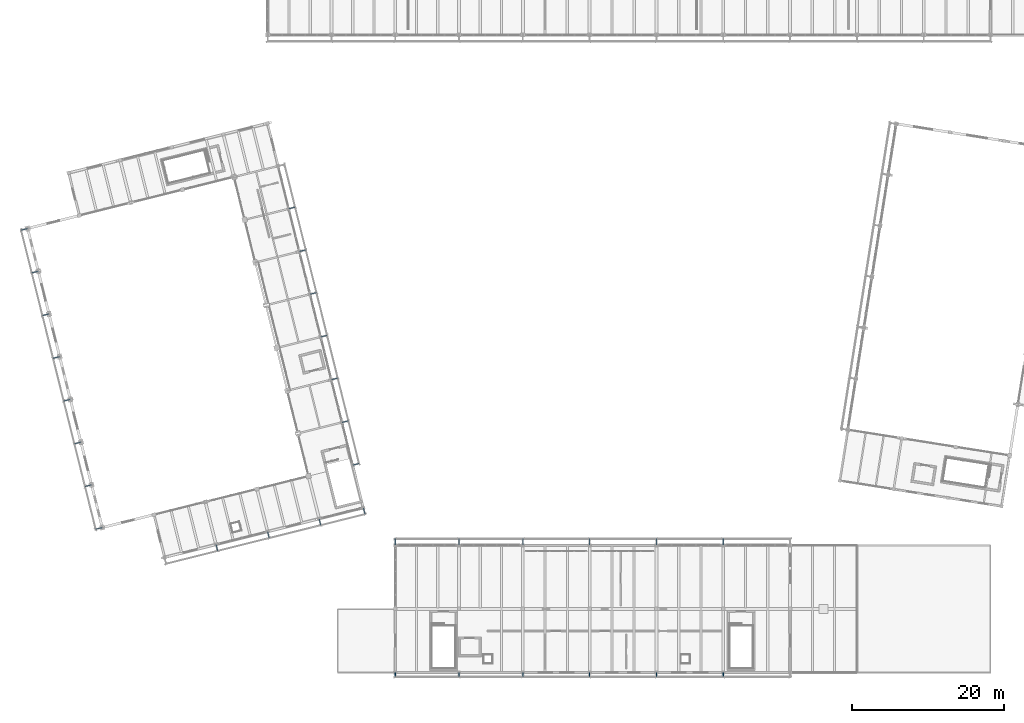
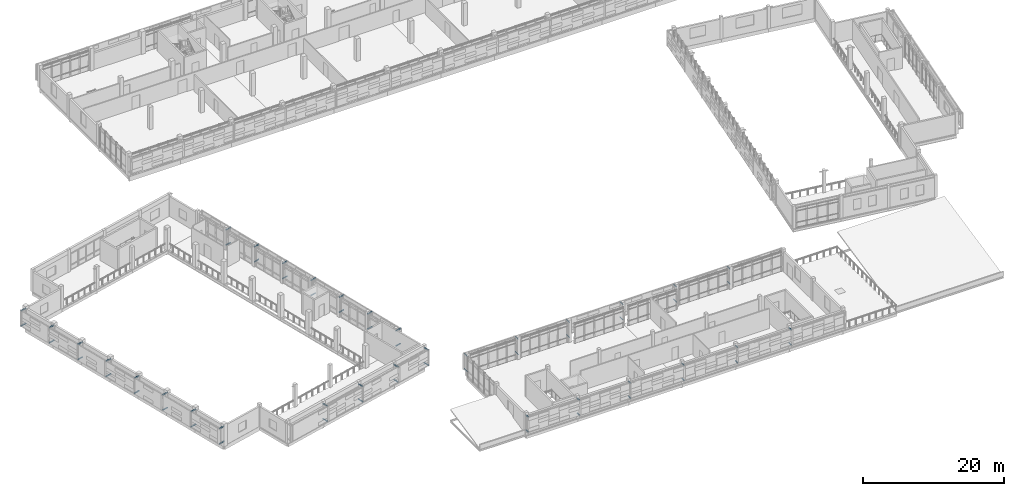
# One storey, part 79 of 117: 62 members.
"""IFC4 building model written with IfcOpenShell, lengths in metres."""

from ifc_helpers import new_model, si_unit, direction, frame, origin, origin_2d, place, context, subcontext, project, spatial, hollow_circle, extrude, material, material_profile, profile_set, type_object, element, save


model = new_model("IFC4")

# Units and contexts
model_context = context("Model", 3, precision=1e-05, world=origin(), true_north=direction((0.0, 1.0)))
body_context = subcontext(model_context, "Body", "Model", "MODEL_VIEW")
ifc_project = project(units=[si_unit("LENGTHUNIT", "METRE"), si_unit("AREAUNIT", "SQUARE_METRE"), si_unit("VOLUMEUNIT", "CUBIC_METRE"), si_unit("PLANEANGLEUNIT", "RADIAN"), si_unit("MASSUNIT", "GRAM", prefix="KILO")], contexts=[model_context])

# Site, building, storey
site_placement = place(None, origin())
site = spatial("IfcSite", under=ifc_project, at=site_placement, CompositionType="ELEMENT")
building_placement = place(site_placement, origin())
building = spatial("IfcBuilding", under=site, at=building_placement, Name="Cinderway Yard Community Centre", CompositionType="ELEMENT")
storey_placement = place(building_placement, frame((0.0, 0.0, 9.0)))
storey = spatial("IfcBuildingStorey", under=building, at=storey_placement, Name="L02", CompositionType="ELEMENT", Elevation=9.0)

# Members
ifc_material = material(Name="Steel S355", Category="steel")
ifc_material_profile = material_profile(ifc_material, hollow_circle(Radius=0.06982421875, WallThickness=0.00634765625, at=origin_2d()), Name="Steel S355")
ifc_profile_set = profile_set([ifc_material_profile], Name="Steel S355")
member_type = type_object("IfcMemberType", Name="STR-MEM-STRUT-CHS140", PredefinedType="STRUT", material=ifc_profile_set)
for number, where, z_axis, x_axis, name in (
    (1, (58.39990234375, 6.0, 0.7099609375), (0.0, -1.0, 0.0), (1.0, 0.0, 0.0), "Screen outrigger strut 0353"),
    (2, (58.39990234375, 6.0, 3.340087890625), (0.0, -1.0, 0.0), (1.0, 0.0, 0.0), "Screen outrigger strut 0354"),
    (3, (66.800048828125, 6.0, 0.7099609375), (0.0, -1.0, 0.0), (1.0, 0.0, 0.0), "Screen outrigger strut 0357"),
    (4, (66.800048828125, 6.0, 3.340087890625), (0.0, -1.0, 0.0), (1.0, 0.0, 0.0), "Screen outrigger strut 0358"),
    (5, (75.199951171875, 6.0, 0.7099609375), (0.0, -1.0, 0.0), (1.0, 0.0, 0.0), "Screen outrigger strut 0361"),
    (6, (75.199951171875, 6.0, 3.340087890625), (0.0, -1.0, 0.0), (1.0, 0.0, 0.0), "Screen outrigger strut 0362"),
    (7, (84.0, 6.0, 0.7099609375), (0.0, -1.0, 0.0), (1.0, 0.0, 0.0), "Screen outrigger strut 0365"),
    (8, (84.0, 6.0, 3.340087890625), (0.0, -1.0, 0.0), (1.0, 0.0, 0.0), "Screen outrigger strut 0366"),
    (9, (92.800048828125, 6.0, 0.7099609375), (0.0, -1.0, 0.0), (1.0, 0.0, 0.0), "Screen outrigger strut 0369"),
    (10, (92.800048828125, 6.0, 3.340087890625), (0.0, -1.0, 0.0), (1.0, 0.0, 0.0), "Screen outrigger strut 0370"),
    (11, (101.60009765625, 6.0, 0.7099609375), (0.0, -1.0, 0.0), (1.0, 0.0, 0.0), "Screen outrigger strut 0373"),
    (12, (101.60009765625, 6.0, 3.340087890625), (0.0, -1.0, 0.0), (1.0, 0.0, 0.0), "Screen outrigger strut 0374"),
):
    element("IfcMember", number, at=place(storey_placement, frame(where, z_axis=z_axis, x_axis=x_axis)), inside=storey, type_object=member_type, Name=name, PredefinedType="STRUT", context=body_context, shape_type="SweptSolid", body=[
        extrude(hollow_circle(Radius=0.06982421875, WallThickness=0.00634765625, at=origin_2d()), origin(), (0.0, 0.0, 1.0), 0.550048828125),
    ])
for number, where, z_axis, x_axis, name in (
    (13, (58.39990234375, 22.800048828125, 0.7099609375), (0.0, 1.0, 0.0), (-1.0, 0.0, 0.0), "Screen outrigger strut 0381"),
    (14, (58.39990234375, 22.800048828125, 3.340087890625), (0.0, 1.0, 0.0), (-1.0, 0.0, 0.0), "Screen outrigger strut 0382"),
    (15, (66.800048828125, 22.800048828125, 0.7099609375), (0.0, 1.0, 0.0), (-1.0, 0.0, 0.0), "Screen outrigger strut 0385"),
    (16, (66.800048828125, 22.800048828125, 3.340087890625), (0.0, 1.0, 0.0), (-1.0, 0.0, 0.0), "Screen outrigger strut 0386"),
    (17, (75.199951171875, 22.800048828125, 0.7099609375), (0.0, 1.0, 0.0), (-1.0, 0.0, 0.0), "Screen outrigger strut 0389"),
    (18, (75.199951171875, 22.800048828125, 3.340087890625), (0.0, 1.0, 0.0), (-1.0, 0.0, 0.0), "Screen outrigger strut 0390"),
    (19, (84.0, 22.800048828125, 0.7099609375), (0.0, 1.0, 0.0), (-1.0, 0.0, 0.0), "Screen outrigger strut 0393"),
    (20, (84.0, 22.800048828125, 3.340087890625), (0.0, 1.0, 0.0), (-1.0, 0.0, 0.0), "Screen outrigger strut 0394"),
    (21, (92.800048828125, 22.800048828125, 0.7099609375), (0.0, 1.0, 0.0), (-1.0, 0.0, 0.0), "Screen outrigger strut 0397"),
    (22, (92.800048828125, 22.800048828125, 3.340087890625), (0.0, 1.0, 0.0), (-1.0, 0.0, 0.0), "Screen outrigger strut 0398"),
    (23, (101.60009765625, 22.800048828125, 0.7099609375), (0.0, 1.0, 0.0), (-1.0, 0.0, 0.0), "Screen outrigger strut 0401"),
    (24, (101.60009765625, 22.800048828125, 3.340087890625), (0.0, 1.0, 0.0), (-1.0, 0.0, 0.0), "Screen outrigger strut 0402"),
):
    element("IfcMember", number, at=place(storey_placement, frame(where, z_axis=z_axis, x_axis=x_axis)), inside=storey, type_object=member_type, Name=name, PredefinedType="STRUT", context=body_context, shape_type="SweptSolid", body=[
        extrude(hollow_circle(Radius=0.06982421875, WallThickness=0.00634765625, at=origin_2d()), origin(), (0.0, 0.0, 1.0), 0.849853515625),
    ])
for number, where, z_axis, x_axis, name in (
    (25, (19.80908203125, 25.116943359375, 0.7099609375), (-0.970206304302, -0.242280265588, 0.0), (0.242280265588, -0.970206304302, 0.0), "Screen outrigger strut 0493"),
    (26, (19.80908203125, 25.116943359375, 3.340087890625), (-0.970206304302, -0.242280265588, 0.0), (0.242280265588, -0.970206304302, 0.0), "Screen outrigger strut 0494"),
    (27, (18.406005859375, 30.7451171875, 0.7099609375), (-0.970206304302, -0.242280265588, 0.0), (0.242280265588, -0.970206304302, 0.0), "Screen outrigger strut 0497"),
    (28, (18.406005859375, 30.7451171875, 3.340087890625), (-0.970206304302, -0.242280265588, 0.0), (0.242280265588, -0.970206304302, 0.0), "Screen outrigger strut 0498"),
    (29, (17.0029296875, 36.3720703125, 0.7099609375), (-0.970206304302, -0.242280265588, 0.0), (0.242280265588, -0.970206304302, 0.0), "Screen outrigger strut 0501"),
    (30, (17.0029296875, 36.3720703125, 3.340087890625), (-0.970206304302, -0.242280265588, 0.0), (0.242280265588, -0.970206304302, 0.0), "Screen outrigger strut 0502"),
    (31, (15.60009765625, 42.0, 0.7099609375), (-0.970206304302, -0.242280265588, 0.0), (0.242280265588, -0.970206304302, 0.0), "Screen outrigger strut 0505"),
    (32, (15.60009765625, 42.0, 3.340087890625), (-0.970206304302, -0.242280265588, 0.0), (0.242280265588, -0.970206304302, 0.0), "Screen outrigger strut 0506"),
    (33, (14.197021484375, 47.6279296875, 0.7099609375), (-0.970206304302, -0.242280265588, 0.0), (0.242280265588, -0.970206304302, 0.0), "Screen outrigger strut 0509"),
    (34, (14.197021484375, 47.6279296875, 3.340087890625), (-0.970206304302, -0.242280265588, 0.0), (0.242280265588, -0.970206304302, 0.0), "Screen outrigger strut 0510"),
    (35, (12.7939453125, 53.2548828125, 0.7099609375), (-0.970270049618, -0.242024855777, 0.0), (0.242024855777, -0.970270049618, 0.0), "Screen outrigger strut 0513"),
    (36, (12.7939453125, 53.2548828125, 3.340087890625), (-0.970270049618, -0.242024855777, 0.0), (0.242024855777, -0.970270049618, 0.0), "Screen outrigger strut 0514"),
    (37, (11.39111328125, 58.883056640625, 0.7099609375), (-0.970206304302, -0.242280265588, 0.0), (0.242280265588, -0.970206304302, 0.0), "Screen outrigger strut 0517"),
    (38, (11.39111328125, 58.883056640625, 3.340087890625), (-0.970206304302, -0.242280265588, 0.0), (0.242280265588, -0.970206304302, 0.0), "Screen outrigger strut 0518"),
    (39, (9.987060546875, 64.510986328125, 0.7099609375), (-0.970206304302, -0.242280265588, 0.0), (0.242280265588, -0.970206304302, 0.0), "Screen outrigger strut 0521"),
    (40, (9.987060546875, 64.510986328125, 3.340087890625), (-0.970206304302, -0.242280265588, 0.0), (0.242280265588, -0.970206304302, 0.0), "Screen outrigger strut 0522"),
):
    element("IfcMember", number, at=place(storey_placement, frame(where, z_axis=z_axis, x_axis=x_axis)), inside=storey, type_object=member_type, Name=name, PredefinedType="STRUT", context=body_context, shape_type="SweptSolid", body=[
        extrude(hollow_circle(Radius=0.06982421875, WallThickness=0.00634765625, at=origin_2d()), origin(), (0.0, 0.0, 1.0), 0.89990234375),
    ])
for number, where, z_axis, x_axis, name in (
    (41, (52.799072265625, 33.342041015625, 0.7099609375), (0.970193147976, 0.242332943738, 0.0), (-0.242332943738, 0.970193147976, 0.0), "Screen outrigger strut 0525"),
    (42, (52.799072265625, 33.342041015625, 3.340087890625), (0.970193147976, 0.242332943738, 0.0), (-0.242332943738, 0.970193147976, 0.0), "Screen outrigger strut 0526"),
    (43, (51.39599609375, 38.969970703125, 0.7099609375), (0.970193147976, 0.242332943738, 0.0), (-0.242332943738, 0.970193147976, 0.0), "Screen outrigger strut 0529"),
    (44, (51.39599609375, 38.969970703125, 3.340087890625), (0.970193147976, 0.242332943738, 0.0), (-0.242332943738, 0.970193147976, 0.0), "Screen outrigger strut 0530"),
):
    element("IfcMember", number, at=place(storey_placement, frame(where, z_axis=z_axis, x_axis=x_axis)), inside=storey, type_object=member_type, Name=name, PredefinedType="STRUT", context=body_context, shape_type="SweptSolid", body=[
        extrude(hollow_circle(Radius=0.06982421875, WallThickness=0.00634765625, at=origin_2d()), origin(), (0.0, 0.0, 1.0), 0.850341796875),
    ])
for number, where, z_axis, x_axis, name in (
    (45, (49.992919921875, 44.597900390625, 0.7099609375), (0.970210002383, 0.242265456216, 0.0), (-0.242265456216, 0.970210002383, 0.0), "Screen outrigger strut 0533"),
    (46, (49.992919921875, 44.597900390625, 3.340087890625), (0.970210002383, 0.242265456216, 0.0), (-0.242265456216, 0.970210002383, 0.0), "Screen outrigger strut 0534"),
):
    element("IfcMember", number, at=place(storey_placement, frame(where, z_axis=z_axis, x_axis=x_axis)), inside=storey, type_object=member_type, Name=name, PredefinedType="STRUT", context=body_context, shape_type="SweptSolid", body=[
        extrude(hollow_circle(Radius=0.06982421875, WallThickness=0.00634765625, at=origin_2d()), origin(), (0.0, 0.0, 1.0), 0.8505859375),
    ])
for number, where, z_axis, x_axis, name in (
    (47, (48.590087890625, 50.22509765625, 0.7099609375), (0.970260620758, 0.242062652648, 0.0), (-0.242062652648, 0.970260620758, 0.0), "Screen outrigger strut 0537"),
    (48, (48.590087890625, 50.22509765625, 3.340087890625), (0.970260620758, 0.242062652648, 0.0), (-0.242062652648, 0.970260620758, 0.0), "Screen outrigger strut 0538"),
    (49, (47.18701171875, 55.85302734375, 0.7099609375), (0.970193147976, 0.242332943738, 0.0), (-0.242332943738, 0.970193147976, 0.0), "Screen outrigger strut 0541"),
    (50, (47.18701171875, 55.85302734375, 3.340087890625), (0.970193147976, 0.242332943738, 0.0), (-0.242332943738, 0.970193147976, 0.0), "Screen outrigger strut 0542"),
    (51, (45.783935546875, 61.48095703125, 0.7099609375), (0.970193147976, 0.242332943738, 0.0), (-0.242332943738, 0.970193147976, 0.0), "Screen outrigger strut 0545"),
    (52, (45.783935546875, 61.48095703125, 3.340087890625), (0.970193147976, 0.242332943738, 0.0), (-0.242332943738, 0.970193147976, 0.0), "Screen outrigger strut 0546"),
    (53, (44.381103515625, 67.10791015625, 0.7099609375), (0.970193147976, 0.242332943738, 0.0), (-0.242332943738, 0.970193147976, 0.0), "Screen outrigger strut 0549"),
    (54, (44.381103515625, 67.10791015625, 3.340087890625), (0.970193147976, 0.242332943738, 0.0), (-0.242332943738, 0.970193147976, 0.0), "Screen outrigger strut 0550"),
    (55, (34.797119140625, 22.8759765625, 0.7099609375), (0.242062652648, -0.970260620758, 0.0), (0.970260620758, 0.242062652648, 0.0), "Screen outrigger strut 0561"),
    (56, (34.797119140625, 22.8759765625, 3.340087890625), (0.242062652648, -0.970260620758, 0.0), (0.970260620758, 0.242062652648, 0.0), "Screen outrigger strut 0562"),
):
    element("IfcMember", number, at=place(storey_placement, frame(where, z_axis=z_axis, x_axis=x_axis)), inside=storey, type_object=member_type, Name=name, PredefinedType="STRUT", context=body_context, shape_type="SweptSolid", body=[
        extrude(hollow_circle(Radius=0.06982421875, WallThickness=0.00634765625, at=origin_2d()), origin(), (0.0, 0.0, 1.0), 0.850341796875),
    ])
for number, where, z_axis, x_axis, name in (
    (57, (41.589111328125, 24.569091796875, 0.7099609375), (0.241995231027, -0.970277438757, 0.0), (0.970277438757, 0.241995231027, 0.0), "Screen outrigger strut 0565"),
    (58, (41.589111328125, 24.569091796875, 3.340087890625), (0.241995231027, -0.970277438757, 0.0), (0.970277438757, 0.241995231027, 0.0), "Screen outrigger strut 0566"),
):
    element("IfcMember", number, at=place(storey_placement, frame(where, z_axis=z_axis, x_axis=x_axis)), inside=storey, type_object=member_type, Name=name, PredefinedType="STRUT", context=body_context, shape_type="SweptSolid", body=[
        extrude(hollow_circle(Radius=0.06982421875, WallThickness=0.00634765625, at=origin_2d()), origin(), (0.0, 0.0, 1.0), 0.8505859375),
    ])
for number, where, z_axis, x_axis, name in (
    (59, (48.381103515625, 26.262939453125, 0.7099609375), (0.242062652648, -0.970260620758, 0.0), (0.970260620758, 0.242062652648, 0.0), "Screen outrigger strut 0569"),
    (60, (48.381103515625, 26.262939453125, 3.340087890625), (0.242062652648, -0.970260620758, 0.0), (0.970260620758, 0.242062652648, 0.0), "Screen outrigger strut 0570"),
):
    element("IfcMember", number, at=place(storey_placement, frame(where, z_axis=z_axis, x_axis=x_axis)), inside=storey, type_object=member_type, Name=name, PredefinedType="STRUT", context=body_context, shape_type="SweptSolid", body=[
        extrude(hollow_circle(Radius=0.06982421875, WallThickness=0.00634765625, at=origin_2d()), origin(), (0.0, 0.0, 1.0), 0.850341796875),
    ])
for number, where, z_axis, x_axis, name in (
    (61, (54.202880859375, 27.714111328125, 0.7099609375), (0.242265456216, -0.970210002383, 0.0), (0.970210002383, 0.242265456216, 0.0), "Screen outrigger strut 0573"),
    (62, (54.202880859375, 27.714111328125, 3.340087890625), (0.242265456216, -0.970210002383, 0.0), (0.970210002383, 0.242265456216, 0.0), "Screen outrigger strut 0574"),
):
    element("IfcMember", number, at=place(storey_placement, frame(where, z_axis=z_axis, x_axis=x_axis)), inside=storey, type_object=member_type, Name=name, PredefinedType="STRUT", context=body_context, shape_type="SweptSolid", body=[
        extrude(hollow_circle(Radius=0.06982421875, WallThickness=0.00634765625, at=origin_2d()), origin(), (0.0, 0.0, 1.0), 0.8505859375),
    ])

save(model, "model.ifc")
